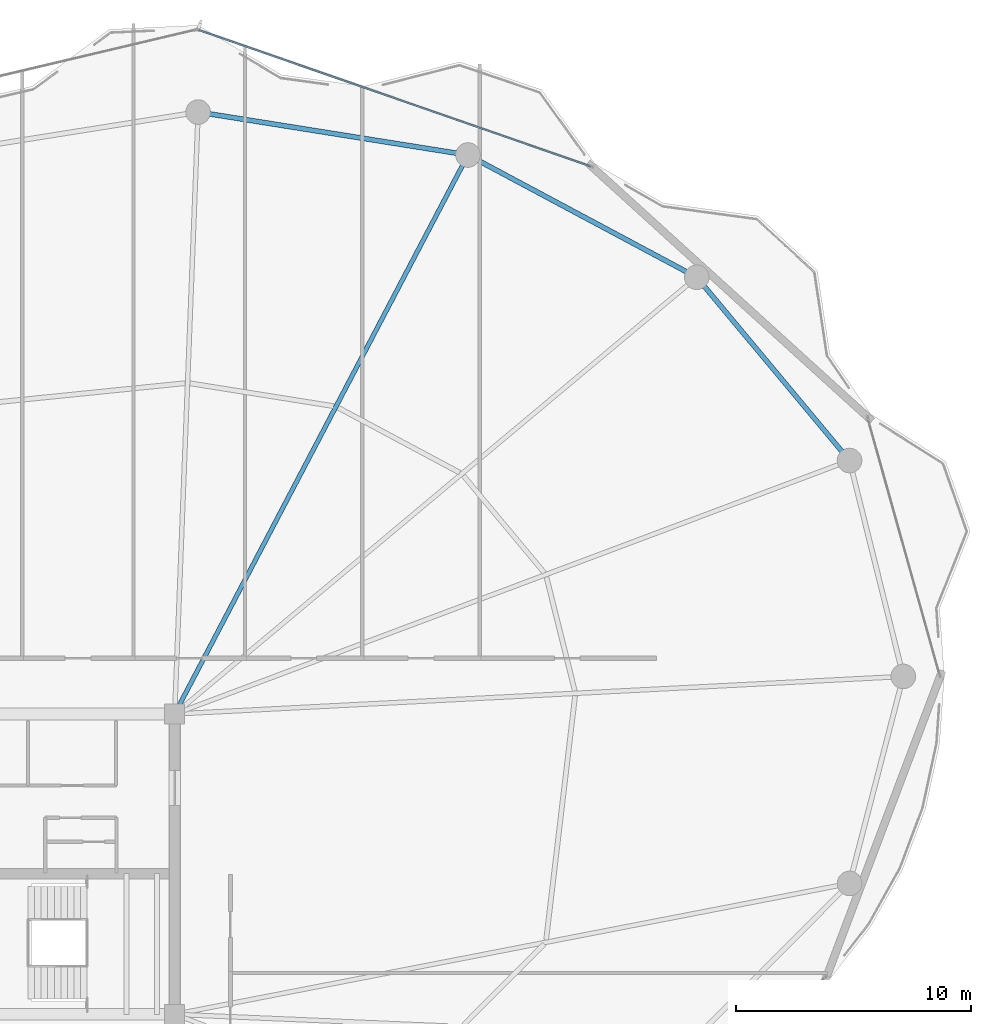
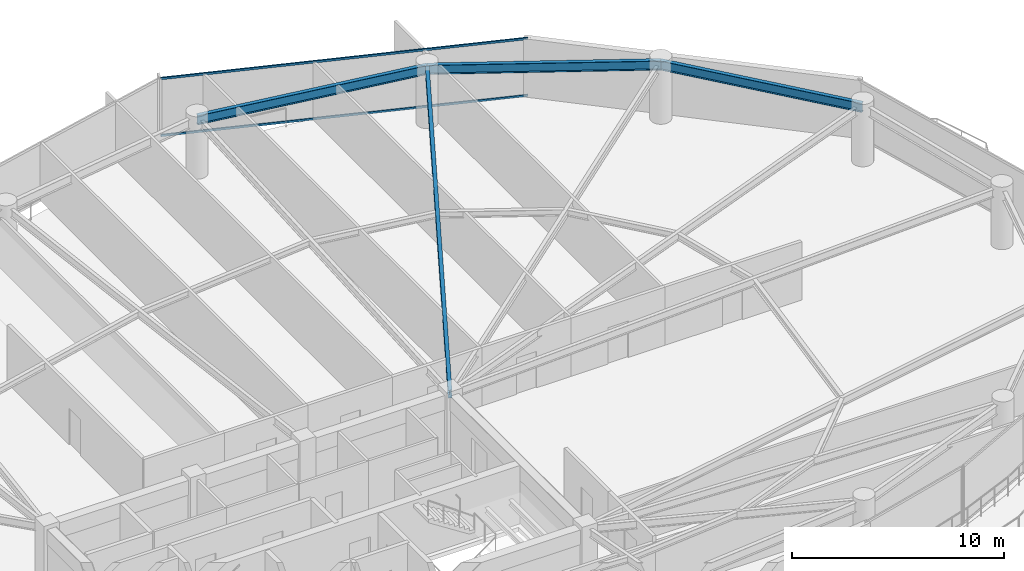
# One storey, part 20 of 28: 4 beams, 2 members, 1 element without a shape of its own.
"""IFC4 building model written with IfcOpenShell, lengths in metres."""

from ifc_helpers import new_model, si_unit, direction, frame, origin, origin_2d, place, context, subcontext, project, spatial, hollow_rectangle, i_section, extrude, material, layer, layer_set, material_profile, profile_set, type_object, element, aggregate, save


model = new_model("IFC4")

# Units and contexts
model_context = context("Model", 3, precision=1e-05, world=origin(), true_north=direction((0.0, 1.0)))
body_context = subcontext(model_context, "Body", "Model", "MODEL_VIEW")
ifc_project = project(units=[si_unit("LENGTHUNIT", "METRE"), si_unit("AREAUNIT", "SQUARE_METRE"), si_unit("VOLUMEUNIT", "CUBIC_METRE"), si_unit("PLANEANGLEUNIT", "RADIAN"), si_unit("MASSUNIT", "GRAM", prefix="KILO")], contexts=[model_context])

# Site, building, storey
site_placement = place(None, origin())
site = spatial("IfcSite", under=ifc_project, at=site_placement, CompositionType="ELEMENT")
building_placement = place(site_placement, origin())
building = spatial("IfcBuilding", under=site, at=building_placement, Name="Kazevale Care Tower and Concert Hall", CompositionType="ELEMENT")
storey_placement = place(building_placement, frame((0.0, 0.0, 246.0)))
storey = spatial("IfcBuildingStorey", under=building, at=storey_placement, Name="L65", CompositionType="ELEMENT", Elevation=246.0)

# Curtain wall, members
ifc_material_1 = material(Name="Aluminium 6063-T6 and Low-E Glass", Category="aluminium")
ifc_layer = layer(ifc_material_1, 0.179931640625)
ifc_layer_set = layer_set([ifc_layer], Name="Aluminium 6063-T6 and Low-E Glass")
curtain_wall_type = type_object("IfcCurtainWallType", Name="Convex Checkerboard Finned Curtain Wall CW-2", PredefinedType="NOTDEFINED", material=ifc_layer_set)
curtain_wall_placement = place(storey_placement, origin())
curtain_wall = element("IfcCurtainWall", 1, at=curtain_wall_placement, inside=storey, type_object=curtain_wall_type, Name="cw:L65:f16", PredefinedType="NOTDEFINED")
ifc_material_2 = material(Name="Aluminium 6063-T6", Category="aluminium")
ifc_material_profile_1 = material_profile(ifc_material_2, hollow_rectangle(XDim=0.074951171875, YDim=0.1201171875, WallThickness=0.00390625, at=origin_2d()), Name="ALU75x120x4")
ifc_profile_set_1 = profile_set([ifc_material_profile_1], Name="Aluminium 6063-T6")
member_type = type_object("IfcMemberType", Name="CW-2 Transom ALU75x120x4", PredefinedType="USERDEFINED", material=ifc_profile_set_1)
member_1_placement = place(storey_placement, frame((45.029541015625, 65.541748046875, 0.03759765625), z_axis=(0.944475733242, -0.328581176146, 0.0), x_axis=(0.328581176146, 0.944475733242, 0.0)))
member_1 = element("IfcMember", 2, at=member_1_placement, type_object=member_type, Name="CW-2 transom 1.1", ObjectType="TRANSOM", PredefinedType="USERDEFINED", context=body_context, shape_type="SweptSolid", body=[
    extrude(hollow_rectangle(XDim=0.074951171875, YDim=0.1201171875, WallThickness=0.00390625, at=origin_2d()), origin(), (0.0, 0.0, 1.0), 17.671142578125),
])
member_2_placement = place(storey_placement, frame((45.029541015625, 65.541748046875, 3.322509765625), z_axis=(0.944475733242, -0.328581176146, 0.0), x_axis=(0.328581176146, 0.944475733242, 0.0)))
member_2 = element("IfcMember", 3, at=member_2_placement, type_object=member_type, Name="CW-2 transom 1.2", ObjectType="TRANSOM", PredefinedType="USERDEFINED", context=body_context, shape_type="SweptSolid", body=[
    extrude(hollow_rectangle(XDim=0.074951171875, YDim=0.1201171875, WallThickness=0.00390625, at=origin_2d()), origin(), (0.0, 0.0, 1.0), 17.671142578125),
])
aggregate(curtain_wall, [member_1, member_2])

# Beams
ifc_material_3 = material(Name="Steel ASTM A572 Gr 50", Category="steel")
ifc_material_profile_2 = material_profile(ifc_material_3, i_section(OverallWidth=0.19091796875, OverallDepth=0.4599609375, WebThickness=0.010009765625, FlangeThickness=0.01611328125, at=origin_2d()), Name="W460x82")
ifc_profile_set_2 = profile_set([ifc_material_profile_2], Name="Steel ASTM A572 Gr 50")
beam_type_1 = type_object("IfcBeamType", Name="Radial Floor Beam W460x82", PredefinedType="BEAM", material=ifc_profile_set_2)
beam_1_placement = place(storey_placement, frame((44.0, 36.39990234375, 3.1298828125), z_axis=(0.464672566396, 0.885482583702, 0.0), x_axis=(-0.885482583702, 0.464672566396, 0.0)))
element("IfcBeam", 4, at=beam_1_placement, inside=storey, type_object=beam_type_1, Name="beam:L65:rad:04", PredefinedType="BEAM", context=body_context, shape_type="SweptSolid", body=[
    extrude(i_section(OverallWidth=0.19091796875, OverallDepth=0.4599609375, WebThickness=0.010009765625, FlangeThickness=0.01611328125, at=origin_2d()), origin(), (0.0, 0.0, 1.0), 26.900634765625),
])
ifc_material_profile_3 = material_profile(ifc_material_3, i_section(OverallWidth=0.208984375, OverallDepth=0.532958984375, WebThickness=0.01025390625, FlangeThickness=0.015625, at=origin_2d()), Name="W530x92")
ifc_profile_set_3 = profile_set([ifc_material_profile_3], Name="Steel ASTM A572 Gr 50")
beam_type_2 = type_object("IfcBeamType", Name="Upper Ring Beam W530x92", PredefinedType="BEAM", material=ifc_profile_set_3)
beam_2_placement = place(storey_placement, frame((72.760009765625, 47.199951171875, 3.093505859375), z_axis=(-0.640278868102, 0.768142546056, 0.0), x_axis=(-0.768142546056, -0.640278868102, 0.0)))
element("IfcBeam", 5, at=beam_2_placement, inside=storey, type_object=beam_type_2, Name="beam:L65:ring:02", PredefinedType="BEAM", context=body_context, shape_type="SweptSolid", body=[
    extrude(i_section(OverallWidth=0.208984375, OverallDepth=0.532958984375, WebThickness=0.01025390625, FlangeThickness=0.015625, at=origin_2d()), origin(), (0.0, 0.0, 1.0), 10.16748046875),
])
beam_3_placement = place(storey_placement, frame((66.25, 55.010009765625, 3.093505859375), z_axis=(-0.881978519833, 0.471289603697, 0.0), x_axis=(-0.471289603697, -0.881978519833, 0.0)))
element("IfcBeam", 6, at=beam_3_placement, inside=storey, type_object=beam_type_2, Name="beam:L65:ring:03", PredefinedType="BEAM", context=body_context, shape_type="SweptSolid", body=[
    extrude(i_section(OverallWidth=0.208984375, OverallDepth=0.532958984375, WebThickness=0.01025390625, FlangeThickness=0.015625, at=origin_2d()), origin(), (0.0, 0.0, 1.0), 11.0546875),
])
beam_4_placement = place(storey_placement, frame((56.5, 60.219970703125, 3.093505859375), z_axis=(-0.987573207584, 0.15715966296, 0.0), x_axis=(-0.15715966296, -0.987573207584, 0.0)))
element("IfcBeam", 7, at=beam_4_placement, inside=storey, type_object=beam_type_2, Name="beam:L65:ring:04", PredefinedType="BEAM", context=body_context, shape_type="SweptSolid", body=[
    extrude(i_section(OverallWidth=0.208984375, OverallDepth=0.532958984375, WebThickness=0.01025390625, FlangeThickness=0.015625, at=origin_2d()), origin(), (0.0, 0.0, 1.0), 11.644775390625),
])

save(model, "model.ifc")
